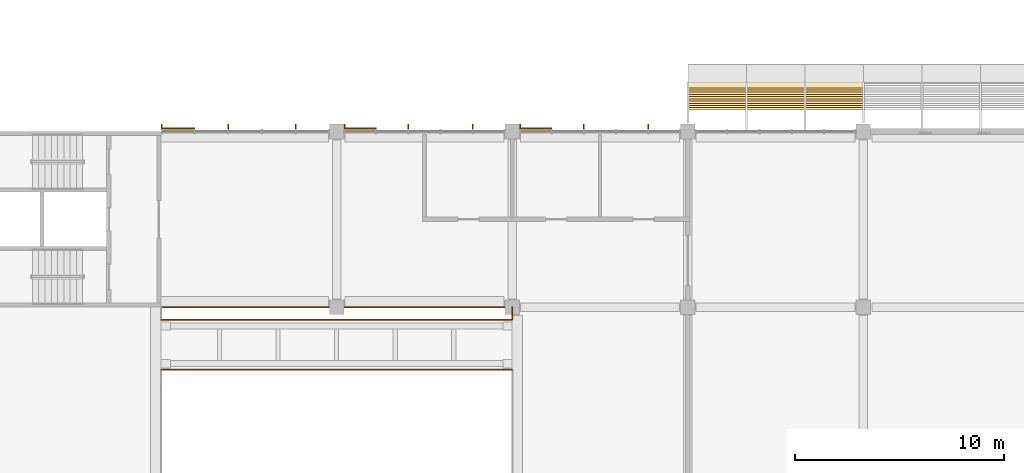
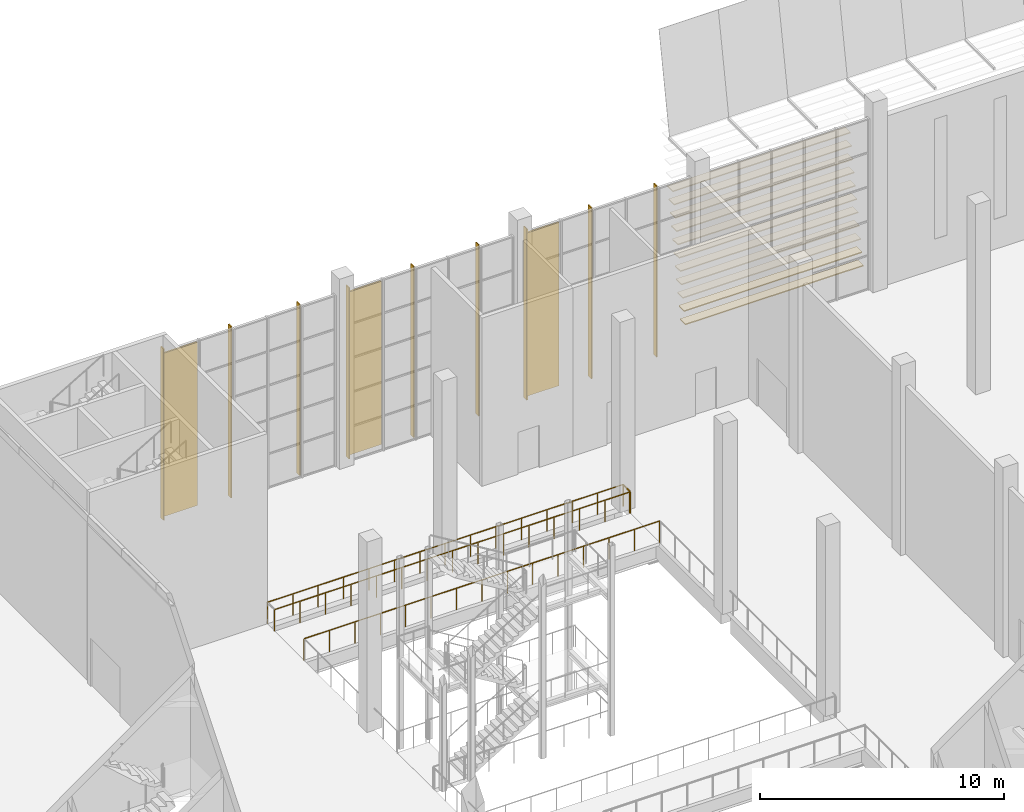
# One storey, part 105 of 114: 12 shading devices, 11 coverings, 4 railings.
"""IFC4 building model written with IfcOpenShell, lengths in metres."""

from ifc_helpers import new_model, si_unit, direction, frame, origin, origin_2d, place, context, subcontext, project, spatial, rectangle, circle, extrude, material, material_profile, profile_set, type_object, element, save


model = new_model("IFC4")

# Units and contexts
model_context = context("Model", 3, precision=1e-05, world=origin(), true_north=direction((0.0, 1.0)))
body_context = subcontext(model_context, "Body", "Model", "MODEL_VIEW")
ifc_project = project(units=[si_unit("LENGTHUNIT", "METRE"), si_unit("AREAUNIT", "SQUARE_METRE"), si_unit("VOLUMEUNIT", "CUBIC_METRE"), si_unit("PLANEANGLEUNIT", "RADIAN"), si_unit("MASSUNIT", "GRAM", prefix="KILO")], contexts=[model_context])

# Site, building, storey
site_placement = place(None, origin())
site = spatial("IfcSite", under=ifc_project, at=site_placement, CompositionType="ELEMENT")
building_placement = place(site_placement, origin())
building = spatial("IfcBuilding", under=site, at=building_placement, Name="Almond Square Museum", CompositionType="ELEMENT")
storey_placement = place(building_placement, frame((0.0, 0.0, 10.5)))
storey = spatial("IfcBuildingStorey", under=building, at=storey_placement, Name="L02", CompositionType="ELEMENT", Elevation=10.5)

# Railings
ifc_material_1 = material(Name="Laminated glass and stainless steel", Category="steel")
railing_type_1 = type_object("IfcRailingType", Name="Atrium bridge guard 1100", PredefinedType="GUARDRAIL", material=ifc_material_1)
railing_1_placement = place(storey_placement, frame((81.60009765625, 97.800048828125, 0.0)))
element("IfcRailing", 1, at=railing_1_placement, inside=storey, type_object=railing_type_1, Name="BR-L02-2 bridge guard south", PredefinedType="GUARDRAIL", context=body_context, shape_type="SweptSolid", body=[
    extrude(circle(Radius=0.02392578125, at=origin_2d()), frame((0.0, 0.0, 1.076171875), z_axis=(1.0, 0.0, 0.0), x_axis=(0.0, 1.0, 0.0)), (0.0, 0.0, 1.0), 16.7998046875),
    extrude(circle(Radius=0.02099609375, at=origin_2d()), origin(), (0.0, 0.0, 1.0), 1.052001953125),
    extrude(circle(Radius=0.02099609375, at=origin_2d()), frame((1.199951171875, 0.0, 0.0)), (0.0, 0.0, 1.0), 1.052001953125),
    extrude(circle(Radius=0.02099609375, at=origin_2d()), frame((2.39990234375, 0.0, 0.0)), (0.0, 0.0, 1.0), 1.052001953125),
    extrude(circle(Radius=0.02099609375, at=origin_2d()), frame((3.599853515625, 0.0, 0.0)), (0.0, 0.0, 1.0), 1.052001953125),
    extrude(circle(Radius=0.02099609375, at=origin_2d()), frame((4.800048828125, 0.0, 0.0)), (0.0, 0.0, 1.0), 1.052001953125),
    extrude(circle(Radius=0.02099609375, at=origin_2d()), frame((6.0, 0.0, 0.0)), (0.0, 0.0, 1.0), 1.052001953125),
    extrude(circle(Radius=0.02099609375, at=origin_2d()), frame((7.199951171875, 0.0, 0.0)), (0.0, 0.0, 1.0), 1.052001953125),
    extrude(circle(Radius=0.02099609375, at=origin_2d()), frame((8.39990234375, 0.0, 0.0)), (0.0, 0.0, 1.0), 1.052001953125),
    extrude(circle(Radius=0.02099609375, at=origin_2d()), frame((9.599853515625, 0.0, 0.0)), (0.0, 0.0, 1.0), 1.052001953125),
    extrude(circle(Radius=0.02099609375, at=origin_2d()), frame((10.7998046875, 0.0, 0.0)), (0.0, 0.0, 1.0), 1.052001953125),
    extrude(circle(Radius=0.02099609375, at=origin_2d()), frame((11.999755859375, 0.0, 0.0)), (0.0, 0.0, 1.0), 1.052001953125),
    extrude(circle(Radius=0.02099609375, at=origin_2d()), frame((13.199951171875, 0.0, 0.0)), (0.0, 0.0, 1.0), 1.052001953125),
    extrude(circle(Radius=0.02099609375, at=origin_2d()), frame((14.39990234375, 0.0, 0.0)), (0.0, 0.0, 1.0), 1.052001953125),
    extrude(circle(Radius=0.02099609375, at=origin_2d()), frame((15.599853515625, 0.0, 0.0)), (0.0, 0.0, 1.0), 1.052001953125),
    extrude(circle(Radius=0.02099609375, at=origin_2d()), frame((16.7998046875, 0.0, 0.0)), (0.0, 0.0, 1.0), 1.052001953125),
])
railing_2_placement = place(storey_placement, frame((81.60009765625, 100.199951171875, 0.0)))
element("IfcRailing", 2, at=railing_2_placement, inside=storey, type_object=railing_type_1, Name="BR-L02-2 bridge guard north", PredefinedType="GUARDRAIL", context=body_context, shape_type="SweptSolid", body=[
    extrude(circle(Radius=0.02392578125, at=origin_2d()), frame((0.0, 0.0, 1.076171875), z_axis=(1.0, 0.0, 0.0), x_axis=(0.0, 1.0, 0.0)), (0.0, 0.0, 1.0), 16.7998046875),
    extrude(circle(Radius=0.02099609375, at=origin_2d()), origin(), (0.0, 0.0, 1.0), 1.052001953125),
    extrude(circle(Radius=0.02099609375, at=origin_2d()), frame((1.199951171875, 0.0, 0.0)), (0.0, 0.0, 1.0), 1.052001953125),
    extrude(circle(Radius=0.02099609375, at=origin_2d()), frame((2.39990234375, 0.0, 0.0)), (0.0, 0.0, 1.0), 1.052001953125),
    extrude(circle(Radius=0.02099609375, at=origin_2d()), frame((3.599853515625, 0.0, 0.0)), (0.0, 0.0, 1.0), 1.052001953125),
    extrude(circle(Radius=0.02099609375, at=origin_2d()), frame((4.800048828125, 0.0, 0.0)), (0.0, 0.0, 1.0), 1.052001953125),
    extrude(circle(Radius=0.02099609375, at=origin_2d()), frame((6.0, 0.0, 0.0)), (0.0, 0.0, 1.0), 1.052001953125),
    extrude(circle(Radius=0.02099609375, at=origin_2d()), frame((7.199951171875, 0.0, 0.0)), (0.0, 0.0, 1.0), 1.052001953125),
    extrude(circle(Radius=0.02099609375, at=origin_2d()), frame((8.39990234375, 0.0, 0.0)), (0.0, 0.0, 1.0), 1.052001953125),
    extrude(circle(Radius=0.02099609375, at=origin_2d()), frame((9.599853515625, 0.0, 0.0)), (0.0, 0.0, 1.0), 1.052001953125),
    extrude(circle(Radius=0.02099609375, at=origin_2d()), frame((10.7998046875, 0.0, 0.0)), (0.0, 0.0, 1.0), 1.052001953125),
    extrude(circle(Radius=0.02099609375, at=origin_2d()), frame((11.999755859375, 0.0, 0.0)), (0.0, 0.0, 1.0), 1.052001953125),
    extrude(circle(Radius=0.02099609375, at=origin_2d()), frame((13.199951171875, 0.0, 0.0)), (0.0, 0.0, 1.0), 1.052001953125),
    extrude(circle(Radius=0.02099609375, at=origin_2d()), frame((14.39990234375, 0.0, 0.0)), (0.0, 0.0, 1.0), 1.052001953125),
    extrude(circle(Radius=0.02099609375, at=origin_2d()), frame((15.599853515625, 0.0, 0.0)), (0.0, 0.0, 1.0), 1.052001953125),
    extrude(circle(Radius=0.02099609375, at=origin_2d()), frame((16.7998046875, 0.0, 0.0)), (0.0, 0.0, 1.0), 1.052001953125),
])
ifc_material_2 = material(Name="Laminated glass and stainless steel", Category="steel")
railing_type_2 = type_object("IfcRailingType", Name="Atrium guard 1100 glass balustrade", PredefinedType="GUARDRAIL", material=ifc_material_2)
railing_3_placement = place(storey_placement, frame((98.39990234375, 100.25, 0.0)))
element("IfcRailing", 3, at=railing_3_placement, inside=storey, type_object=railing_type_2, Name="L02 atrium guard 7", PredefinedType="GUARDRAIL", context=body_context, shape_type="SweptSolid", body=[
    extrude(circle(Radius=0.02392578125, at=origin_2d()), frame((0.0, 0.0, 1.076171875), z_axis=(0.0, 1.0, 0.0), x_axis=(-1.0, 0.0, 0.0)), (0.0, 0.0, 1.0), 0.550048828125),
    extrude(circle(Radius=0.02099609375, at=origin_2d()), origin(), (0.0, 0.0, 1.0), 1.052001953125),
    extrude(circle(Radius=0.02099609375, at=origin_2d()), frame((0.0, 0.550048828125, 0.0)), (0.0, 0.0, 1.0), 1.052001953125),
])
railing_4_placement = place(storey_placement, frame((81.60009765625, 100.800048828125, 0.0)))
element("IfcRailing", 4, at=railing_4_placement, inside=storey, type_object=railing_type_2, Name="L02 atrium guard 10", PredefinedType="GUARDRAIL", context=body_context, shape_type="SweptSolid", body=[
    extrude(circle(Radius=0.02392578125, at=origin_2d()), frame((0.0, 0.0, 1.076171875), z_axis=(1.0, 0.0, 0.0), x_axis=(0.0, 1.0, 0.0)), (0.0, 0.0, 1.0), 16.7998046875),
    extrude(circle(Radius=0.02099609375, at=origin_2d()), origin(), (0.0, 0.0, 1.0), 1.052001953125),
    extrude(circle(Radius=0.02099609375, at=origin_2d()), frame((1.199951171875, 0.0, 0.0)), (0.0, 0.0, 1.0), 1.052001953125),
    extrude(circle(Radius=0.02099609375, at=origin_2d()), frame((2.39990234375, 0.0, 0.0)), (0.0, 0.0, 1.0), 1.052001953125),
    extrude(circle(Radius=0.02099609375, at=origin_2d()), frame((3.599853515625, 0.0, 0.0)), (0.0, 0.0, 1.0), 1.052001953125),
    extrude(circle(Radius=0.02099609375, at=origin_2d()), frame((4.800048828125, 0.0, 0.0)), (0.0, 0.0, 1.0), 1.052001953125),
    extrude(circle(Radius=0.02099609375, at=origin_2d()), frame((6.0, 0.0, 0.0)), (0.0, 0.0, 1.0), 1.052001953125),
    extrude(circle(Radius=0.02099609375, at=origin_2d()), frame((7.199951171875, 0.0, 0.0)), (0.0, 0.0, 1.0), 1.052001953125),
    extrude(circle(Radius=0.02099609375, at=origin_2d()), frame((8.39990234375, 0.0, 0.0)), (0.0, 0.0, 1.0), 1.052001953125),
    extrude(circle(Radius=0.02099609375, at=origin_2d()), frame((9.599853515625, 0.0, 0.0)), (0.0, 0.0, 1.0), 1.052001953125),
    extrude(circle(Radius=0.02099609375, at=origin_2d()), frame((10.7998046875, 0.0, 0.0)), (0.0, 0.0, 1.0), 1.052001953125),
    extrude(circle(Radius=0.02099609375, at=origin_2d()), frame((11.999755859375, 0.0, 0.0)), (0.0, 0.0, 1.0), 1.052001953125),
    extrude(circle(Radius=0.02099609375, at=origin_2d()), frame((13.199951171875, 0.0, 0.0)), (0.0, 0.0, 1.0), 1.052001953125),
    extrude(circle(Radius=0.02099609375, at=origin_2d()), frame((14.39990234375, 0.0, 0.0)), (0.0, 0.0, 1.0), 1.052001953125),
    extrude(circle(Radius=0.02099609375, at=origin_2d()), frame((15.599853515625, 0.0, 0.0)), (0.0, 0.0, 1.0), 1.052001953125),
    extrude(circle(Radius=0.02099609375, at=origin_2d()), frame((16.7998046875, 0.0, 0.0)), (0.0, 0.0, 1.0), 1.052001953125),
])

# Coverings
ifc_material_3 = material(Name="Cedar timber louvre board", Category="wood")
ifc_material_profile_1 = material_profile(ifc_material_3, rectangle(XDim=0.449951171875, YDim=0.050048828125, at=origin_2d()))
ifc_profile_set_1 = profile_set([ifc_material_profile_1], Name="Cedar timber louvre board")
covering_type = type_object("IfcCoveringType", Name="Louvre board 450 x 50", PredefinedType="CLADDING", material=ifc_profile_set_1)
for number, where, z_axis, x_axis, name in (
    (5, (106.800048828125, 110.45849609375, 0.39990234375), (1.0, 0.0, 0.0), (0.0, 1.0, 0.0), "Louvre board N07.01"),
    (6, (106.800048828125, 110.564453125, 1.0), (1.0, 0.0, 0.0), (0.0, 1.0, 0.0), "Louvre board N08.01"),
    (7, (106.800048828125, 110.670166015625, 1.60009765625), (1.0, 0.0, 0.0), (0.0, 1.0, 0.0), "Louvre board N09.01"),
    (8, (106.800048828125, 110.776123046875, 2.199951171875), (1.0, 0.0, 0.0), (0.0, 1.0, 0.0), "Louvre board N10.01"),
    (9, (106.800048828125, 110.8818359375, 2.800048828125), (1.0, 0.0, 0.0), (0.0, 1.0, 0.0), "Louvre board N11.01"),
    (10, (106.800048828125, 110.987548828125, 3.39990234375), (1.0, 0.0, 0.0), (0.0, 1.0, 0.0), "Louvre board N12.01"),
    (11, (106.800048828125, 111.093505859375, 4.0), (1.0, 0.0, 0.0), (0.0, 1.0, 0.0), "Louvre board N13.01"),
    (12, (106.800048828125, 111.19921875, 4.60009765625), (1.0, 0.0, 0.0), (0.0, 1.0, 0.0), "Louvre board N14.01"),
    (13, (106.800048828125, 111.304931640625, 5.199951171875), (1.0, 0.0, 0.0), (0.0, 1.0, 0.0), "Louvre board N15.01"),
    (14, (106.800048828125, 111.410888671875, 5.800048828125), (1.0, 0.0, 0.0), (0.0, 1.0, 0.0), "Louvre board N16.01"),
    (15, (106.800048828125, 111.5166015625, 6.39990234375), (1.0, 0.0, 0.0), (0.0, 1.0, 0.0), "Louvre board N17.01"),
):
    element("IfcCovering", number, at=place(storey_placement, frame(where, z_axis=z_axis, x_axis=x_axis)), inside=storey, type_object=covering_type, Name=name, PredefinedType="CLADDING", context=body_context, shape_type="SweptSolid", body=[
        extrude(rectangle(XDim=0.449951171875, YDim=0.050048828125, at=origin_2d()), origin(), (0.0, 0.0, 1.0), 8.39990234375),
    ])

# Shading devices
ifc_material_4 = material(Name="Anodised aluminium louvre", Category="aluminium")
shading_device_type_1 = type_object("IfcShadingDeviceType", Name="Storm louvre shutter", PredefinedType="SHUTTER", material=ifc_material_4)
for number, where, z_axis, x_axis, name in (
    (16, (99.534912109375, 109.337890625, 0.199951171875), (0.0, 0.0, 1.0), (1.0, 0.0, 0.0), "Storm louvre shutter"),
    (17, (91.135009765625, 109.337890625, 0.199951171875), (0.0, 0.0, 1.0), (1.0, 0.0, 0.0), "Storm louvre shutter"),
):
    element("IfcShadingDevice", number, at=place(storey_placement, frame(where, z_axis=z_axis, x_axis=x_axis)), inside=storey, type_object=shading_device_type_1, Name=name, PredefinedType="SHUTTER", context=body_context, shape_type="SweptSolid", body=[
        extrude(rectangle(XDim=1.510009765625, YDim=0.080078125, at=origin_2d()), origin(), (0.0, 0.0, 1.0), 8.14990234375),
    ])
shading_device_placement = place(storey_placement, frame((82.419921875, 109.337890625, 0.199951171875), z_axis=(0.0, 0.0, 1.0), x_axis=(1.0, 0.0, 0.0)))
element("IfcShadingDevice", 18, at=shading_device_placement, inside=storey, type_object=shading_device_type_1, Name="Storm louvre shutter", PredefinedType="SHUTTER", context=body_context, shape_type="SweptSolid", body=[
    extrude(rectangle(XDim=1.580078125, YDim=0.080078125, at=origin_2d()), origin(), (0.0, 0.0, 1.0), 8.14990234375),
])
ifc_material_5 = material(Name="Cedar timber fin", Category="wood")
ifc_material_profile_2 = material_profile(ifc_material_5, rectangle(XDim=0.25, YDim=0.050048828125, at=origin_2d()))
ifc_profile_set_2 = profile_set([ifc_material_profile_2], Name="Cedar timber fin")
shading_device_type_2 = type_object("IfcShadingDeviceType", Name="Timber fin 250 x 50", PredefinedType="USERDEFINED", material=ifc_profile_set_2)
for number, where, z_axis, x_axis, name in (
    (19, (98.780029296875, 109.423095703125, 0.0), (0.0, 0.0, 1.0), (0.0, 1.0, 0.0), "Timber fin"),
    (20, (101.830078125, 109.423095703125, 0.0), (0.0, 0.0, 1.0), (0.0, 1.0, 0.0), "Timber fin"),
    (21, (104.909912109375, 109.423095703125, 0.0), (0.0, 0.0, 1.0), (0.0, 1.0, 0.0), "Timber fin"),
    (22, (90.3798828125, 109.423095703125, 0.0), (0.0, 0.0, 1.0), (0.0, 1.0, 0.0), "Timber fin"),
    (23, (93.429931640625, 109.423095703125, 0.0), (0.0, 0.0, 1.0), (0.0, 1.0, 0.0), "Timber fin"),
    (24, (96.510009765625, 109.423095703125, 0.0), (0.0, 0.0, 1.0), (0.0, 1.0, 0.0), "Timber fin"),
    (25, (81.6298828125, 109.423095703125, 0.0), (0.0, 0.0, 1.0), (0.0, 1.0, 0.0), "Timber fin"),
    (26, (84.820068359375, 109.423095703125, 0.0), (0.0, 0.0, 1.0), (0.0, 1.0, 0.0), "Timber fin"),
    (27, (88.0400390625, 109.423095703125, 0.0), (0.0, 0.0, 1.0), (0.0, 1.0, 0.0), "Timber fin"),
):
    element("IfcShadingDevice", number, at=place(storey_placement, frame(where, z_axis=z_axis, x_axis=x_axis)), inside=storey, type_object=shading_device_type_2, Name=name, ObjectType="FIN", PredefinedType="USERDEFINED", context=body_context, shape_type="SweptSolid", body=[
        extrude(rectangle(XDim=0.25, YDim=0.050048828125, at=origin_2d()), origin(), (0.0, 0.0, 1.0), 8.550048828125),
    ])

save(model, "model.ifc")
